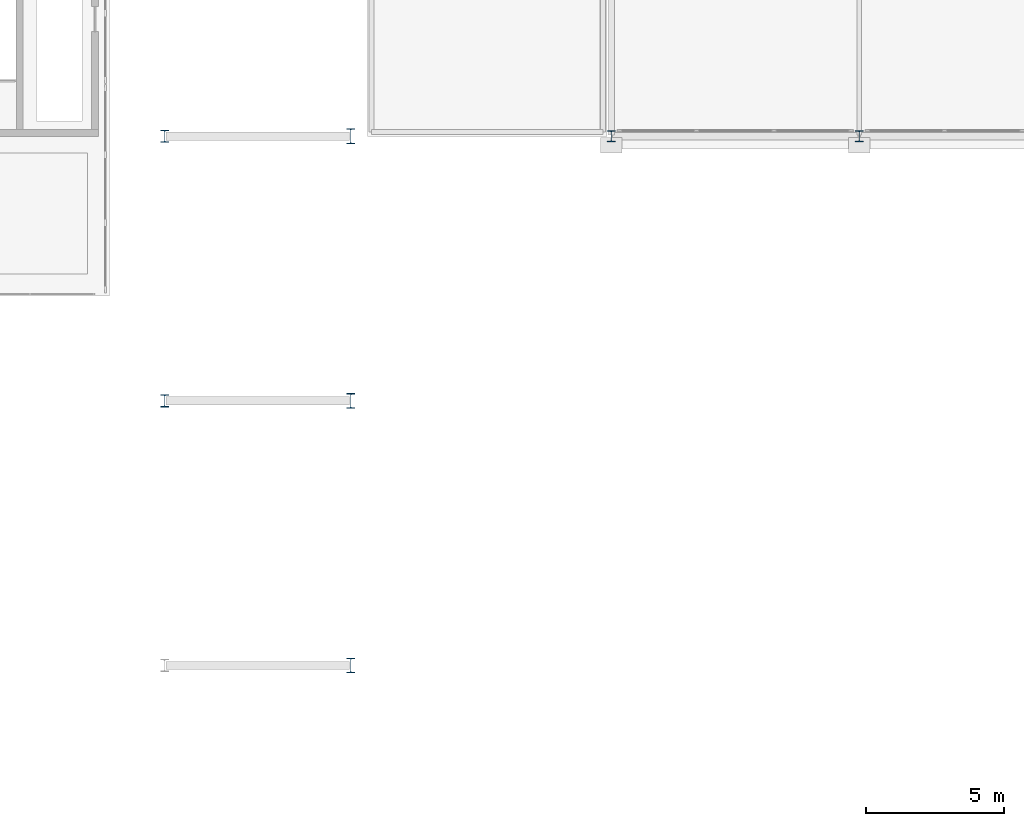
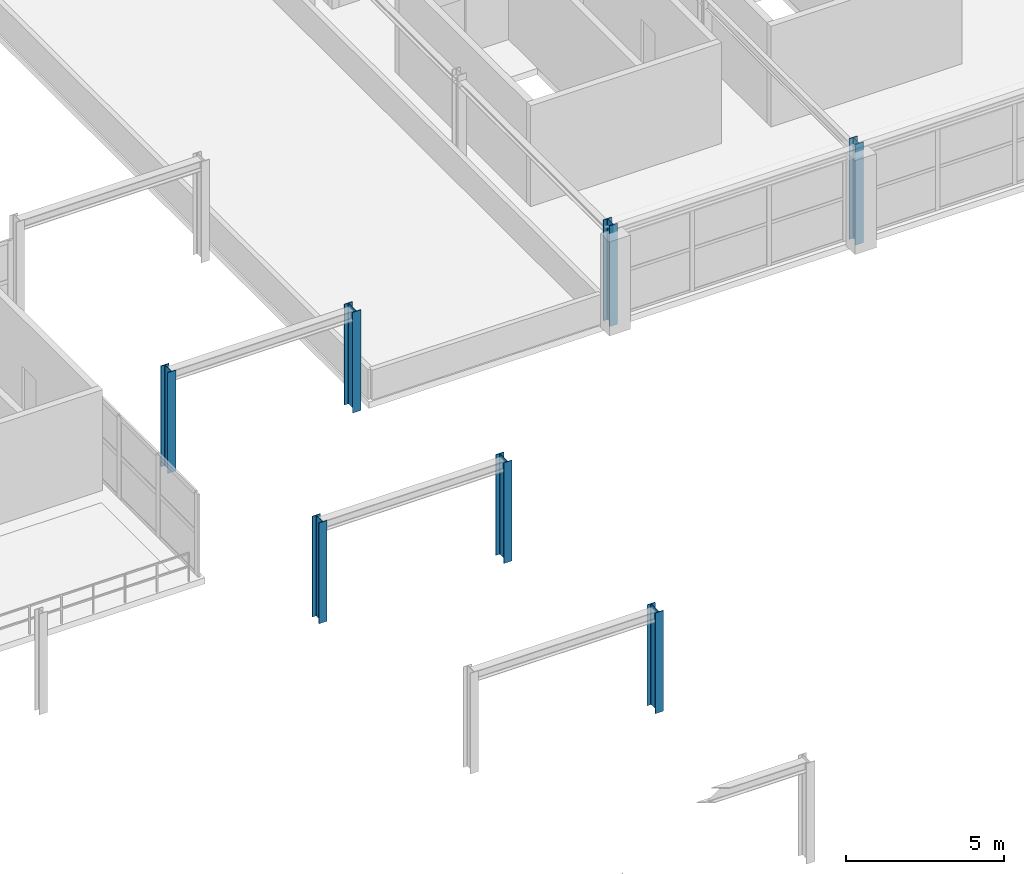
# One storey, part 8 of 52: 7 columns.
"""IFC4 building model written with IfcOpenShell, lengths in metres."""

from ifc_helpers import new_model, si_unit, direction, frame, origin, origin_2d, place, context, subcontext, project, spatial, i_section, extrude, material, material_profile, profile_set, type_object, element, save


model = new_model("IFC4")

# Units and contexts
model_context = context("Model", 3, precision=1e-05, world=origin(), true_north=direction((0.0, 1.0)))
body_context = subcontext(model_context, "Body", "Model", "MODEL_VIEW")
ifc_project = project(units=[si_unit("LENGTHUNIT", "METRE"), si_unit("AREAUNIT", "SQUARE_METRE"), si_unit("VOLUMEUNIT", "CUBIC_METRE"), si_unit("PLANEANGLEUNIT", "RADIAN"), si_unit("MASSUNIT", "GRAM", prefix="KILO")], contexts=[model_context])

# Site, building, storey
site_placement = place(None, origin())
site = spatial("IfcSite", under=ifc_project, at=site_placement, CompositionType="ELEMENT")
building_placement = place(site_placement, origin())
building = spatial("IfcBuilding", under=site, at=building_placement, Name="Myrtia Square Station", CompositionType="ELEMENT")
storey_placement = place(building_placement, frame((0.0, 0.0, 15.0)))
storey = spatial("IfcBuildingStorey", under=building, at=storey_placement, Name="L03", CompositionType="ELEMENT", Elevation=15.0)

# Columns
ifc_material = material(Name="Steel S355", Category="steel")
ifc_material_profile_1 = material_profile(ifc_material, i_section(OverallWidth=0.300048828125, OverallDepth=0.5400390625, WebThickness=0.012451171875, FlangeThickness=0.02392578125, FilletRadius=0.027099609375, at=origin_2d()), Name="HEA 550")
ifc_profile_set_1 = profile_set([ifc_material_profile_1], Name="Steel S355")
column_type_1 = type_object("IfcColumnType", Name="COL-HEA550", PredefinedType="COLUMN", material=ifc_profile_set_1)
for number, where, z_axis, x_axis, name in (
    (1, (116.550048828125, 67.199951171875, 0.0), (0.0, 0.0, 1.0), (1.0, 0.0, 0.0), "Column L03-0338"),
    (2, (116.550048828125, 76.800048828125, 0.0), (0.0, 0.0, 1.0), (1.0, 0.0, 0.0), "Column L03-0360"),
    (3, (116.550048828125, 86.39990234375, 0.0), (0.0, 0.0, 1.0), (1.0, 0.0, 0.0), "Column L03-0382"),
):
    element("IfcColumn", number, at=place(storey_placement, frame(where, z_axis=z_axis, x_axis=x_axis)), inside=storey, type_object=column_type_1, Name=name, PredefinedType="COLUMN", context=body_context, shape_type="SweptSolid", body=[
        extrude(i_section(OverallWidth=0.300048828125, OverallDepth=0.5400390625, WebThickness=0.012451171875, FlangeThickness=0.02392578125, FilletRadius=0.027099609375, at=origin_2d()), origin(), (0.0, 0.0, 1.0), 3.89990234375),
    ])
ifc_material_profile_2 = material_profile(ifc_material, i_section(OverallWidth=0.300048828125, OverallDepth=0.39990234375, WebThickness=0.013427734375, FlangeThickness=0.02392578125, FilletRadius=0.027099609375, at=origin_2d()), Name="HEB 400")
ifc_profile_set_2 = profile_set([ifc_material_profile_2], Name="Steel S355")
column_type_2 = type_object("IfcColumnType", Name="COL-HEB400", PredefinedType="COLUMN", material=ifc_profile_set_2)
for number, where, z_axis, x_axis, name in (
    (4, (126.0, 86.39990234375, 0.0), (0.0, 0.0, 1.0), (1.0, 0.0, 0.0), "Column L03-0783"),
    (5, (135.0, 86.39990234375, 0.0), (0.0, 0.0, 1.0), (1.0, 0.0, 0.0), "Column L03-0813"),
):
    element("IfcColumn", number, at=place(storey_placement, frame(where, z_axis=z_axis, x_axis=x_axis)), inside=storey, type_object=column_type_2, Name=name, PredefinedType="COLUMN", context=body_context, shape_type="SweptSolid", body=[
        extrude(i_section(OverallWidth=0.300048828125, OverallDepth=0.39990234375, WebThickness=0.013427734375, FlangeThickness=0.02392578125, FilletRadius=0.027099609375, at=origin_2d()), origin(), (0.0, 0.0, 1.0), 3.89990234375),
    ])
ifc_material_profile_3 = material_profile(ifc_material, i_section(OverallWidth=0.300048828125, OverallDepth=0.449951171875, WebThickness=0.013916015625, FlangeThickness=0.02587890625, FilletRadius=0.027099609375, at=origin_2d()), Name="HEB 450")
ifc_profile_set_3 = profile_set([ifc_material_profile_3], Name="Steel S355")
column_type_3 = type_object("IfcColumnType", Name="COL-HEB450", PredefinedType="COLUMN", material=ifc_profile_set_3)
for number, where, z_axis, x_axis, name in (
    (6, (109.800048828125, 76.800048828125, 0.0), (0.0, 0.0, 1.0), (1.0, 0.0, 0.0), "Column L03-0371"),
    (7, (109.800048828125, 86.39990234375, 0.0), (0.0, 0.0, 1.0), (1.0, 0.0, 0.0), "Column L03-0393"),
):
    element("IfcColumn", number, at=place(storey_placement, frame(where, z_axis=z_axis, x_axis=x_axis)), inside=storey, type_object=column_type_3, Name=name, PredefinedType="COLUMN", context=body_context, shape_type="SweptSolid", body=[
        extrude(i_section(OverallWidth=0.300048828125, OverallDepth=0.449951171875, WebThickness=0.013916015625, FlangeThickness=0.02587890625, FilletRadius=0.027099609375, at=origin_2d()), origin(), (0.0, 0.0, 1.0), 3.89990234375),
    ])

save(model, "model.ifc")
